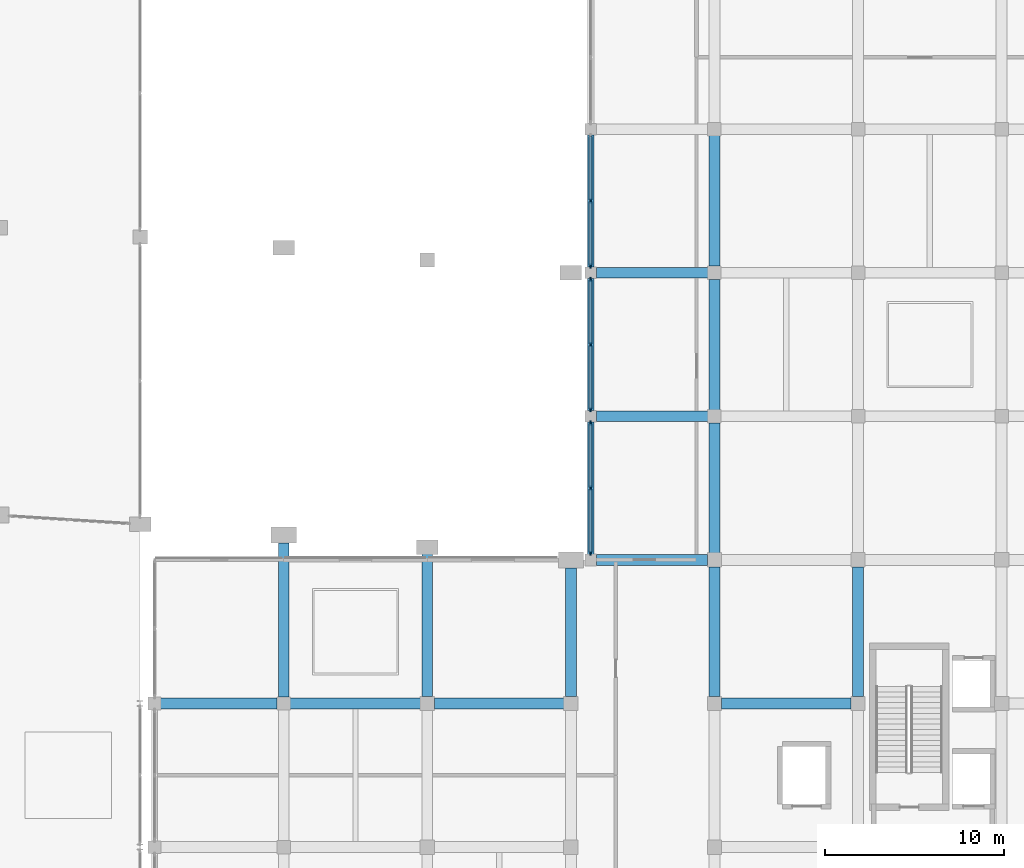
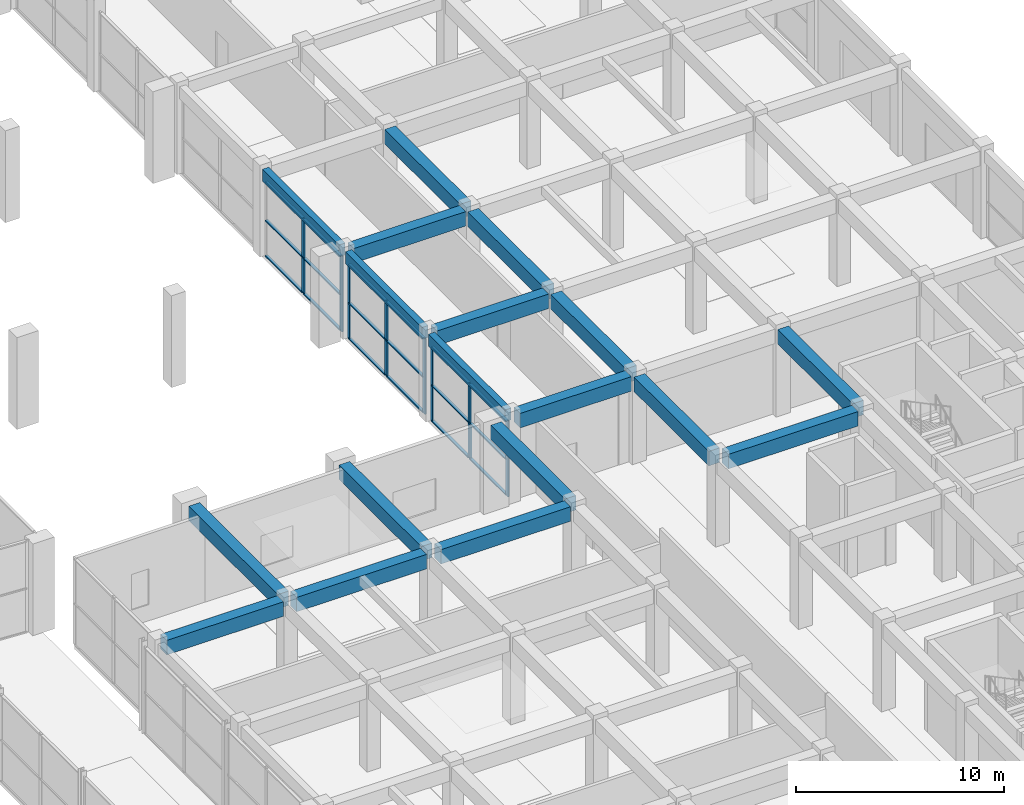
# One storey, part 39 of 86: 26 members, 18 beams, 3 elements without a shape of their own.
"""IFC4 building model written with IfcOpenShell, lengths in metres."""

from ifc_helpers import new_model, si_unit, direction, frame, origin, origin_2d, place, context, subcontext, project, spatial, rectangle, extrude, material, material_profile, profile_set, type_object, element, aggregate, save


model = new_model("IFC4")

# Units and contexts
model_context = context("Model", 3, precision=1e-05, world=origin(), true_north=direction((0.0, 1.0)))
body_context = subcontext(model_context, "Body", "Model", "MODEL_VIEW")
ifc_project = project(units=[si_unit("LENGTHUNIT", "METRE"), si_unit("AREAUNIT", "SQUARE_METRE"), si_unit("VOLUMEUNIT", "CUBIC_METRE"), si_unit("PLANEANGLEUNIT", "RADIAN"), si_unit("MASSUNIT", "GRAM", prefix="KILO")], contexts=[model_context])

# Site, building, storey
site_placement = place(None, origin())
site = spatial("IfcSite", under=ifc_project, at=site_placement, CompositionType="ELEMENT")
building_placement = place(site_placement, origin())
building = spatial("IfcBuilding", under=site, at=building_placement, Name="Kenh Van Central Station", CompositionType="ELEMENT")
storey_placement = place(building_placement, origin())
storey = spatial("IfcBuildingStorey", under=building, at=storey_placement, Name="L00", CompositionType="ELEMENT", Elevation=0.0)

# Beams
ifc_material_1 = material(Name="Concrete C35/45", Category="concrete")
ifc_material_profile_1 = material_profile(ifc_material_1, rectangle(XDim=0.60009765625, YDim=0.85009765625, at=origin_2d()), Name="RC 600x850")
ifc_profile_set_1 = profile_set([ifc_material_profile_1], Name="Concrete C35/45")
beam_type_1 = type_object("IfcBeamType", Name="BM-RC-600x850", PredefinedType="BEAM", material=ifc_profile_set_1)
beam_1_placement = place(storey_placement, frame((121.139892578125, 56.0, 4.695068359375), z_axis=(1.0, 0.0, 0.0), x_axis=(0.0, 1.0, 0.0)))
element("IfcBeam", 1, at=beam_1_placement, inside=storey, type_object=beam_type_1, Name="L00 beam 0441", PredefinedType="BEAM", context=body_context, shape_type="SweptSolid", body=[
    extrude(rectangle(XDim=0.60009765625, YDim=0.85009765625, at=origin_2d()), origin(), (0.0, 0.0, 1.0), 6.4951171875),
])
beam_2_placement = place(storey_placement, frame((128.364990234375, 56.0, 4.695068359375), z_axis=(1.0, 0.0, 0.0), x_axis=(0.0, 1.0, 0.0)))
element("IfcBeam", 2, at=beam_2_placement, inside=storey, type_object=beam_type_1, Name="L00 beam 0442", PredefinedType="BEAM", context=body_context, shape_type="SweptSolid", body=[
    extrude(rectangle(XDim=0.60009765625, YDim=0.85009765625, at=origin_2d()), origin(), (0.0, 0.0, 1.0), 7.2451171875),
])
for number, where, z_axis, x_axis, name in (
    (3, (136.389892578125, 56.0, 4.695068359375), (1.0, 0.0, 0.0), (0.0, 1.0, 0.0), "L00 beam 0443"),
    (4, (152.389892578125, 56.0, 4.695068359375), (1.0, 0.0, 0.0), (0.0, 1.0, 0.0), "L00 beam 0444"),
):
    element("IfcBeam", number, at=place(storey_placement, frame(where, z_axis=z_axis, x_axis=x_axis)), inside=storey, type_object=beam_type_1, Name=name, PredefinedType="BEAM", context=body_context, shape_type="SweptSolid", body=[
        extrude(rectangle(XDim=0.60009765625, YDim=0.85009765625, at=origin_2d()), origin(), (0.0, 0.0, 1.0), 7.22021484375),
    ])
beam_3_placement = place(storey_placement, frame((145.4150390625, 64.0, 4.695068359375), z_axis=(1.0, 0.0, 0.0), x_axis=(0.0, 1.0, 0.0)))
element("IfcBeam", 5, at=beam_3_placement, inside=storey, type_object=beam_type_1, Name="L00 beam 0446", PredefinedType="BEAM", context=body_context, shape_type="SweptSolid", body=[
    extrude(rectangle(XDim=0.60009765625, YDim=0.85009765625, at=origin_2d()), origin(), (0.0, 0.0, 1.0), 6.195068359375),
])
for number, where, z_axis, x_axis, name in (
    (6, (145.4150390625, 72.0, 4.695068359375), (1.0, 0.0, 0.0), (0.0, 1.0, 0.0), "L00 beam 0450"),
    (7, (145.4150390625, 80.0, 4.695068359375), (1.0, 0.0, 0.0), (0.0, 1.0, 0.0), "L00 beam 0454"),
):
    element("IfcBeam", number, at=place(storey_placement, frame(where, z_axis=z_axis, x_axis=x_axis)), inside=storey, type_object=beam_type_1, Name=name, PredefinedType="BEAM", context=body_context, shape_type="SweptSolid", body=[
        extrude(rectangle(XDim=0.60009765625, YDim=0.85009765625, at=origin_2d()), origin(), (0.0, 0.0, 1.0), 6.219970703125),
    ])
beam_4_placement = place(storey_placement, frame((128.0, 56.364990234375, 4.695068359375), z_axis=(0.0, 1.0, 0.0), x_axis=(-1.0, 0.0, 0.0)))
element("IfcBeam", 8, at=beam_4_placement, inside=storey, type_object=beam_type_1, Name="L00 beam 0525", PredefinedType="BEAM", context=body_context, shape_type="SweptSolid", body=[
    extrude(rectangle(XDim=0.60009765625, YDim=0.85009765625, at=origin_2d()), origin(), (0.0, 0.0, 1.0), 8.58349609375),
])
beam_5_placement = place(storey_placement, frame((136.0, 56.389892578125, 4.695068359375), z_axis=(0.0, 1.0, 0.0), x_axis=(-1.0, 0.0, 0.0)))
element("IfcBeam", 9, at=beam_5_placement, inside=storey, type_object=beam_type_1, Name="L00 beam 0532", PredefinedType="BEAM", context=body_context, shape_type="SweptSolid", body=[
    extrude(rectangle(XDim=0.60009765625, YDim=0.85009765625, at=origin_2d()), origin(), (0.0, 0.0, 1.0), 7.93212890625),
])
beam_6_placement = place(storey_placement, frame((144.0, 56.389892578125, 4.695068359375), z_axis=(0.0, 1.0, 0.0), x_axis=(-1.0, 0.0, 0.0)))
element("IfcBeam", 10, at=beam_6_placement, inside=storey, type_object=beam_type_1, Name="L00 beam 0539", PredefinedType="BEAM", context=body_context, shape_type="SweptSolid", body=[
    extrude(rectangle(XDim=0.60009765625, YDim=0.85009765625, at=origin_2d()), origin(), (0.0, 0.0, 1.0), 7.170166015625),
])
beam_7_placement = place(storey_placement, frame((152.0, 56.389892578125, 4.695068359375), z_axis=(0.0, 1.0, 0.0), x_axis=(-1.0, 0.0, 0.0)))
element("IfcBeam", 11, at=beam_7_placement, inside=storey, type_object=beam_type_1, Name="L00 beam 0550", PredefinedType="BEAM", context=body_context, shape_type="SweptSolid", body=[
    extrude(rectangle(XDim=0.60009765625, YDim=0.85009765625, at=origin_2d()), origin(), (0.0, 0.0, 1.0), 7.22021484375),
])
beam_8_placement = place(storey_placement, frame((152.0, 64.389892578125, 4.695068359375), z_axis=(0.0, 1.0, 0.0), x_axis=(-1.0, 0.0, 0.0)))
element("IfcBeam", 12, at=beam_8_placement, inside=storey, type_object=beam_type_1, Name="L00 beam 0551", PredefinedType="BEAM", context=body_context, shape_type="SweptSolid", body=[
    extrude(rectangle(XDim=0.60009765625, YDim=0.85009765625, at=origin_2d()), origin(), (0.0, 0.0, 1.0), 7.2451171875),
])
for number, where, z_axis, x_axis, name in (
    (13, (152.0, 72.364990234375, 4.695068359375), (0.0, 1.0, 0.0), (-1.0, 0.0, 0.0), "L00 beam 0552"),
    (14, (152.0, 80.364990234375, 4.695068359375), (0.0, 1.0, 0.0), (-1.0, 0.0, 0.0), "L00 beam 0553"),
):
    element("IfcBeam", number, at=place(storey_placement, frame(where, z_axis=z_axis, x_axis=x_axis)), inside=storey, type_object=beam_type_1, Name=name, PredefinedType="BEAM", context=body_context, shape_type="SweptSolid", body=[
        extrude(rectangle(XDim=0.60009765625, YDim=0.85009765625, at=origin_2d()), origin(), (0.0, 0.0, 1.0), 7.27001953125),
    ])
beam_9_placement = place(storey_placement, frame((160.0, 56.389892578125, 4.695068359375), z_axis=(0.0, 1.0, 0.0), x_axis=(-1.0, 0.0, 0.0)))
element("IfcBeam", 15, at=beam_9_placement, inside=storey, type_object=beam_type_1, Name="L00 beam 0561", PredefinedType="BEAM", context=body_context, shape_type="SweptSolid", body=[
    extrude(rectangle(XDim=0.60009765625, YDim=0.85009765625, at=origin_2d()), origin(), (0.0, 0.0, 1.0), 7.22021484375),
])

# Curtain wall, members
ifc_material_2 = material(Name="Champagne anodised aluminium", Category="aluminium")
curtain_wall_type = type_object("IfcCurtainWallType", Name="CW-OPER-B", PredefinedType="NOTDEFINED", material=ifc_material_2)
curtain_wall_1_placement = place(storey_placement, origin())
curtain_wall_1 = element("IfcCurtainWall", 16, at=curtain_wall_1_placement, inside=storey, type_object=curtain_wall_type, Name="L00 curtain wall 066", PredefinedType="NOTDEFINED")
ifc_material_profile_2 = material_profile(ifc_material_2, rectangle(XDim=0.087890625, YDim=0.239990234375, at=origin_2d()), Name="AL 88x240")
ifc_profile_set_2 = profile_set([ifc_material_profile_2], Name="Champagne anodised aluminium")
member_type_1 = type_object("IfcMemberType", Name="CWM-60x140", PredefinedType="MULLION", material=ifc_profile_set_2)
member_1_placement = place(storey_placement, frame((145.10009765625, 84.0, 0.0), z_axis=(0.0, 0.0, 1.0), x_axis=(1.0, 0.0, 0.0)))
member_1 = element("IfcMember", 17, at=member_1_placement, type_object=member_type_1, Name="CW-08 mullion 2", PredefinedType="MULLION", context=body_context, shape_type="SweptSolid", body=[
    extrude(rectangle(XDim=0.087890625, YDim=0.239990234375, at=origin_2d()), origin(), (0.0, 0.0, 1.0), 4.419921875),
])
member_2_placement = place(storey_placement, frame((145.10009765625, 80.368896484375, 0.0), z_axis=(0.0, 0.0, 1.0), x_axis=(1.0, 0.0, 0.0)))
member_2 = element("IfcMember", 18, at=member_2_placement, type_object=member_type_1, Name="CW-08 mullion 3", PredefinedType="MULLION", context=body_context, shape_type="SweptSolid", body=[
    extrude(rectangle(XDim=0.087890625, YDim=0.239990234375, at=origin_2d()), origin(), (0.0, 0.0, 1.0), 4.419921875),
])

curtain_wall_2_placement = place(storey_placement, origin())
curtain_wall_2 = element("IfcCurtainWall", 19, at=curtain_wall_2_placement, inside=storey, type_object=curtain_wall_type, Name="L00 curtain wall 067", PredefinedType="NOTDEFINED")
member_3_placement = place(storey_placement, frame((145.10009765625, 79.631103515625, 0.0), z_axis=(0.0, 0.0, 1.0), x_axis=(1.0, 0.0, 0.0)))
member_3 = element("IfcMember", 20, at=member_3_placement, type_object=member_type_1, Name="CW-08 mullion 1", PredefinedType="MULLION", context=body_context, shape_type="SweptSolid", body=[
    extrude(rectangle(XDim=0.087890625, YDim=0.239990234375, at=origin_2d()), origin(), (0.0, 0.0, 1.0), 4.419921875),
])
member_4_placement = place(storey_placement, frame((145.10009765625, 76.0, 0.0), z_axis=(0.0, 0.0, 1.0), x_axis=(1.0, 0.0, 0.0)))
member_4 = element("IfcMember", 21, at=member_4_placement, type_object=member_type_1, Name="CW-08 mullion 2", PredefinedType="MULLION", context=body_context, shape_type="SweptSolid", body=[
    extrude(rectangle(XDim=0.087890625, YDim=0.239990234375, at=origin_2d()), origin(), (0.0, 0.0, 1.0), 4.419921875),
])
member_5_placement = place(storey_placement, frame((145.10009765625, 72.368896484375, 0.0), z_axis=(0.0, 0.0, 1.0), x_axis=(1.0, 0.0, 0.0)))
member_5 = element("IfcMember", 22, at=member_5_placement, type_object=member_type_1, Name="CW-08 mullion 3", PredefinedType="MULLION", context=body_context, shape_type="SweptSolid", body=[
    extrude(rectangle(XDim=0.087890625, YDim=0.239990234375, at=origin_2d()), origin(), (0.0, 0.0, 1.0), 4.419921875),
])

curtain_wall_3_placement = place(storey_placement, origin())
curtain_wall_3 = element("IfcCurtainWall", 23, at=curtain_wall_3_placement, inside=storey, type_object=curtain_wall_type, Name="L00 curtain wall 068", PredefinedType="NOTDEFINED")
member_6_placement = place(storey_placement, frame((145.10009765625, 71.631103515625, 0.0), z_axis=(0.0, 0.0, 1.0), x_axis=(1.0, 0.0, 0.0)))
member_6 = element("IfcMember", 24, at=member_6_placement, type_object=member_type_1, Name="CW-08 mullion 1", PredefinedType="MULLION", context=body_context, shape_type="SweptSolid", body=[
    extrude(rectangle(XDim=0.087890625, YDim=0.239990234375, at=origin_2d()), origin(), (0.0, 0.0, 1.0), 4.419921875),
])
member_7_placement = place(storey_placement, frame((145.10009765625, 68.0, 0.0), z_axis=(0.0, 0.0, 1.0), x_axis=(1.0, 0.0, 0.0)))
member_7 = element("IfcMember", 25, at=member_7_placement, type_object=member_type_1, Name="CW-08 mullion 2", PredefinedType="MULLION", context=body_context, shape_type="SweptSolid", body=[
    extrude(rectangle(XDim=0.087890625, YDim=0.239990234375, at=origin_2d()), origin(), (0.0, 0.0, 1.0), 4.419921875),
])
member_8_placement = place(storey_placement, frame((145.10009765625, 64.368896484375, 0.0), z_axis=(0.0, 0.0, 1.0), x_axis=(1.0, 0.0, 0.0)))
member_8 = element("IfcMember", 26, at=member_8_placement, type_object=member_type_1, Name="CW-08 mullion 3", PredefinedType="MULLION", context=body_context, shape_type="SweptSolid", body=[
    extrude(rectangle(XDim=0.087890625, YDim=0.239990234375, at=origin_2d()), origin(), (0.0, 0.0, 1.0), 4.419921875),
])

# Member
ifc_material_profile_3 = material_profile(ifc_material_2, rectangle(XDim=0.155029296875, YDim=0.072021484375, at=origin_2d()), Name="AL 155x72")
ifc_profile_set_3 = profile_set([ifc_material_profile_3], Name="Champagne anodised aluminium")
member_type_2 = type_object("IfcMemberType", Name="CWT-120x60", PredefinedType="USERDEFINED", material=ifc_profile_set_3)
member_9_placement = place(storey_placement, frame((145.10009765625, 87.5869140625, 0.035888671875), z_axis=(0.0, -1.0, 0.0), x_axis=(1.0, 0.0, 0.0)))
member_9 = element("IfcMember", 27, at=member_9_placement, type_object=member_type_2, Name="CW-08 transom 1.1", ObjectType="TRANSOM", PredefinedType="USERDEFINED", context=body_context, shape_type="SweptSolid", body=[
    extrude(rectangle(XDim=0.155029296875, YDim=0.072021484375, at=origin_2d()), origin(), (0.0, 0.0, 1.0), 3.54296875),
])

member_10_placement = place(storey_placement, frame((145.10009765625, 87.5869140625, 2.12158203125), z_axis=(0.0, -1.0, 0.0), x_axis=(1.0, 0.0, 0.0)))
member_10 = element("IfcMember", 28, at=member_10_placement, type_object=member_type_2, Name="CW-08 transom 1.2", ObjectType="TRANSOM", PredefinedType="USERDEFINED", context=body_context, shape_type="SweptSolid", body=[
    extrude(rectangle(XDim=0.155029296875, YDim=0.072021484375, at=origin_2d()), origin(), (0.0, 0.0, 1.0), 3.54296875),
])

member_11_placement = place(storey_placement, frame((145.10009765625, 87.5869140625, 4.384033203125), z_axis=(0.0, -1.0, 0.0), x_axis=(1.0, 0.0, 0.0)))
member_11 = element("IfcMember", 29, at=member_11_placement, type_object=member_type_2, Name="CW-08 transom 1.3", ObjectType="TRANSOM", PredefinedType="USERDEFINED", context=body_context, shape_type="SweptSolid", body=[
    extrude(rectangle(XDim=0.155029296875, YDim=0.072021484375, at=origin_2d()), origin(), (0.0, 0.0, 1.0), 3.54296875),
])

member_12_placement = place(storey_placement, frame((145.10009765625, 83.9560546875, 0.035888671875), z_axis=(0.0, -1.0, 0.0), x_axis=(1.0, 0.0, 0.0)))
member_12 = element("IfcMember", 30, at=member_12_placement, type_object=member_type_2, Name="CW-08 transom 2.1", ObjectType="TRANSOM", PredefinedType="USERDEFINED", context=body_context, shape_type="SweptSolid", body=[
    extrude(rectangle(XDim=0.155029296875, YDim=0.072021484375, at=origin_2d()), origin(), (0.0, 0.0, 1.0), 3.54296875),
])

member_13_placement = place(storey_placement, frame((145.10009765625, 83.9560546875, 2.12158203125), z_axis=(0.0, -1.0, 0.0), x_axis=(1.0, 0.0, 0.0)))
member_13 = element("IfcMember", 31, at=member_13_placement, type_object=member_type_2, Name="CW-08 transom 2.2", ObjectType="TRANSOM", PredefinedType="USERDEFINED", context=body_context, shape_type="SweptSolid", body=[
    extrude(rectangle(XDim=0.155029296875, YDim=0.072021484375, at=origin_2d()), origin(), (0.0, 0.0, 1.0), 3.54296875),
])

member_14_placement = place(storey_placement, frame((145.10009765625, 83.9560546875, 4.384033203125), z_axis=(0.0, -1.0, 0.0), x_axis=(1.0, 0.0, 0.0)))
member_14 = element("IfcMember", 32, at=member_14_placement, type_object=member_type_2, Name="CW-08 transom 2.3", ObjectType="TRANSOM", PredefinedType="USERDEFINED", context=body_context, shape_type="SweptSolid", body=[
    extrude(rectangle(XDim=0.155029296875, YDim=0.072021484375, at=origin_2d()), origin(), (0.0, 0.0, 1.0), 3.54296875),
])

aggregate(curtain_wall_1, [member_1, member_2, member_9, member_10, member_11, member_12, member_13, member_14])

member_15_placement = place(storey_placement, frame((145.10009765625, 79.5869140625, 0.035888671875), z_axis=(0.0, -1.0, 0.0), x_axis=(1.0, 0.0, 0.0)))
member_15 = element("IfcMember", 33, at=member_15_placement, type_object=member_type_2, Name="CW-08 transom 1.1", ObjectType="TRANSOM", PredefinedType="USERDEFINED", context=body_context, shape_type="SweptSolid", body=[
    extrude(rectangle(XDim=0.155029296875, YDim=0.072021484375, at=origin_2d()), origin(), (0.0, 0.0, 1.0), 3.54296875),
])

member_16_placement = place(storey_placement, frame((145.10009765625, 79.5869140625, 2.12158203125), z_axis=(0.0, -1.0, 0.0), x_axis=(1.0, 0.0, 0.0)))
member_16 = element("IfcMember", 34, at=member_16_placement, type_object=member_type_2, Name="CW-08 transom 1.2", ObjectType="TRANSOM", PredefinedType="USERDEFINED", context=body_context, shape_type="SweptSolid", body=[
    extrude(rectangle(XDim=0.155029296875, YDim=0.072021484375, at=origin_2d()), origin(), (0.0, 0.0, 1.0), 3.54296875),
])

member_17_placement = place(storey_placement, frame((145.10009765625, 79.5869140625, 4.384033203125), z_axis=(0.0, -1.0, 0.0), x_axis=(1.0, 0.0, 0.0)))
member_17 = element("IfcMember", 35, at=member_17_placement, type_object=member_type_2, Name="CW-08 transom 1.3", ObjectType="TRANSOM", PredefinedType="USERDEFINED", context=body_context, shape_type="SweptSolid", body=[
    extrude(rectangle(XDim=0.155029296875, YDim=0.072021484375, at=origin_2d()), origin(), (0.0, 0.0, 1.0), 3.54296875),
])

member_18_placement = place(storey_placement, frame((145.10009765625, 75.9560546875, 0.035888671875), z_axis=(0.0, -1.0, 0.0), x_axis=(1.0, 0.0, 0.0)))
member_18 = element("IfcMember", 36, at=member_18_placement, type_object=member_type_2, Name="CW-08 transom 2.1", ObjectType="TRANSOM", PredefinedType="USERDEFINED", context=body_context, shape_type="SweptSolid", body=[
    extrude(rectangle(XDim=0.155029296875, YDim=0.072021484375, at=origin_2d()), origin(), (0.0, 0.0, 1.0), 3.54296875),
])

member_19_placement = place(storey_placement, frame((145.10009765625, 75.9560546875, 2.12158203125), z_axis=(0.0, -1.0, 0.0), x_axis=(1.0, 0.0, 0.0)))
member_19 = element("IfcMember", 37, at=member_19_placement, type_object=member_type_2, Name="CW-08 transom 2.2", ObjectType="TRANSOM", PredefinedType="USERDEFINED", context=body_context, shape_type="SweptSolid", body=[
    extrude(rectangle(XDim=0.155029296875, YDim=0.072021484375, at=origin_2d()), origin(), (0.0, 0.0, 1.0), 3.54296875),
])

member_20_placement = place(storey_placement, frame((145.10009765625, 75.9560546875, 4.384033203125), z_axis=(0.0, -1.0, 0.0), x_axis=(1.0, 0.0, 0.0)))
member_20 = element("IfcMember", 38, at=member_20_placement, type_object=member_type_2, Name="CW-08 transom 2.3", ObjectType="TRANSOM", PredefinedType="USERDEFINED", context=body_context, shape_type="SweptSolid", body=[
    extrude(rectangle(XDim=0.155029296875, YDim=0.072021484375, at=origin_2d()), origin(), (0.0, 0.0, 1.0), 3.54296875),
])

aggregate(curtain_wall_2, [member_3, member_4, member_5, member_15, member_16, member_17, member_18, member_19, member_20])

member_21_placement = place(storey_placement, frame((145.10009765625, 71.5869140625, 0.035888671875), z_axis=(0.0, -1.0, 0.0), x_axis=(1.0, 0.0, 0.0)))
member_21 = element("IfcMember", 39, at=member_21_placement, type_object=member_type_2, Name="CW-08 transom 1.1", ObjectType="TRANSOM", PredefinedType="USERDEFINED", context=body_context, shape_type="SweptSolid", body=[
    extrude(rectangle(XDim=0.155029296875, YDim=0.072021484375, at=origin_2d()), origin(), (0.0, 0.0, 1.0), 3.54296875),
])

member_22_placement = place(storey_placement, frame((145.10009765625, 71.5869140625, 2.12158203125), z_axis=(0.0, -1.0, 0.0), x_axis=(1.0, 0.0, 0.0)))
member_22 = element("IfcMember", 40, at=member_22_placement, type_object=member_type_2, Name="CW-08 transom 1.2", ObjectType="TRANSOM", PredefinedType="USERDEFINED", context=body_context, shape_type="SweptSolid", body=[
    extrude(rectangle(XDim=0.155029296875, YDim=0.072021484375, at=origin_2d()), origin(), (0.0, 0.0, 1.0), 3.54296875),
])

member_23_placement = place(storey_placement, frame((145.10009765625, 71.5869140625, 4.384033203125), z_axis=(0.0, -1.0, 0.0), x_axis=(1.0, 0.0, 0.0)))
member_23 = element("IfcMember", 41, at=member_23_placement, type_object=member_type_2, Name="CW-08 transom 1.3", ObjectType="TRANSOM", PredefinedType="USERDEFINED", context=body_context, shape_type="SweptSolid", body=[
    extrude(rectangle(XDim=0.155029296875, YDim=0.072021484375, at=origin_2d()), origin(), (0.0, 0.0, 1.0), 3.54296875),
])

member_24_placement = place(storey_placement, frame((145.10009765625, 67.9560546875, 0.035888671875), z_axis=(0.0, -1.0, 0.0), x_axis=(1.0, 0.0, 0.0)))
member_24 = element("IfcMember", 42, at=member_24_placement, type_object=member_type_2, Name="CW-08 transom 2.1", ObjectType="TRANSOM", PredefinedType="USERDEFINED", context=body_context, shape_type="SweptSolid", body=[
    extrude(rectangle(XDim=0.155029296875, YDim=0.072021484375, at=origin_2d()), origin(), (0.0, 0.0, 1.0), 3.54296875),
])

member_25_placement = place(storey_placement, frame((145.10009765625, 67.9560546875, 2.12158203125), z_axis=(0.0, -1.0, 0.0), x_axis=(1.0, 0.0, 0.0)))
member_25 = element("IfcMember", 43, at=member_25_placement, type_object=member_type_2, Name="CW-08 transom 2.2", ObjectType="TRANSOM", PredefinedType="USERDEFINED", context=body_context, shape_type="SweptSolid", body=[
    extrude(rectangle(XDim=0.155029296875, YDim=0.072021484375, at=origin_2d()), origin(), (0.0, 0.0, 1.0), 3.54296875),
])

member_26_placement = place(storey_placement, frame((145.10009765625, 67.9560546875, 4.384033203125), z_axis=(0.0, -1.0, 0.0), x_axis=(1.0, 0.0, 0.0)))
member_26 = element("IfcMember", 44, at=member_26_placement, type_object=member_type_2, Name="CW-08 transom 2.3", ObjectType="TRANSOM", PredefinedType="USERDEFINED", context=body_context, shape_type="SweptSolid", body=[
    extrude(rectangle(XDim=0.155029296875, YDim=0.072021484375, at=origin_2d()), origin(), (0.0, 0.0, 1.0), 3.54296875),
])

aggregate(curtain_wall_3, [member_6, member_7, member_8, member_21, member_22, member_23, member_24, member_25, member_26])

# Beams
ifc_material_profile_4 = material_profile(ifc_material_1, rectangle(XDim=0.35009765625, YDim=0.699951171875, at=origin_2d()), Name="RC 350x700")
ifc_profile_set_4 = profile_set([ifc_material_profile_4], Name="Concrete C35/45")
beam_type_2 = type_object("IfcBeamType", Name="SPD-RC-350x700", PredefinedType="SPANDREL", material=ifc_profile_set_4)
for number, where, z_axis, x_axis, name in (
    (45, (145.10009765625, 64.31494140625, 4.77001953125), (0.0, 1.0, 0.0), (-1.0, 0.0, 0.0), "L00 beam 0540"),
    (46, (145.10009765625, 72.31494140625, 4.77001953125), (0.0, 1.0, 0.0), (-1.0, 0.0, 0.0), "L00 beam 0541"),
    (47, (145.10009765625, 80.31494140625, 4.77001953125), (0.0, 1.0, 0.0), (-1.0, 0.0, 0.0), "L00 beam 0542"),
):
    element("IfcBeam", number, at=place(storey_placement, frame(where, z_axis=z_axis, x_axis=x_axis)), inside=storey, type_object=beam_type_2, Name=name, PredefinedType="SPANDREL", context=body_context, shape_type="SweptSolid", body=[
        extrude(rectangle(XDim=0.35009765625, YDim=0.699951171875, at=origin_2d()), origin(), (0.0, 0.0, 1.0), 7.3701171875),
    ])

save(model, "model.ifc")
